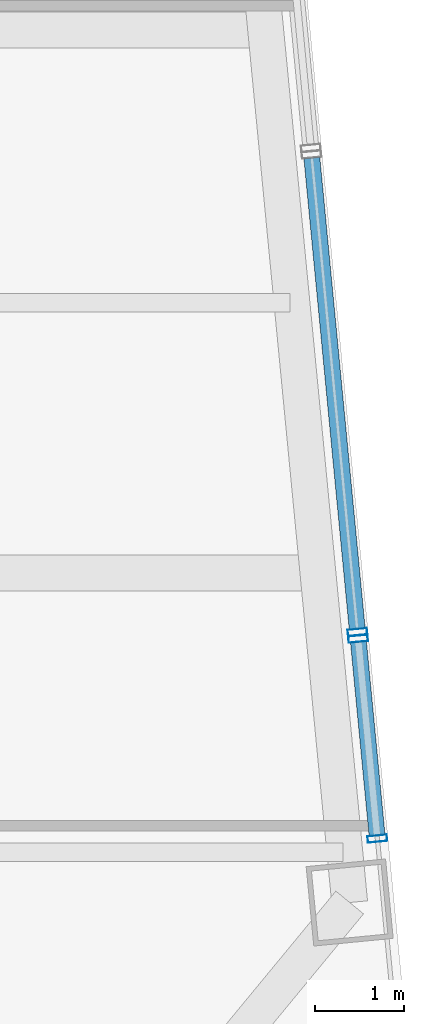
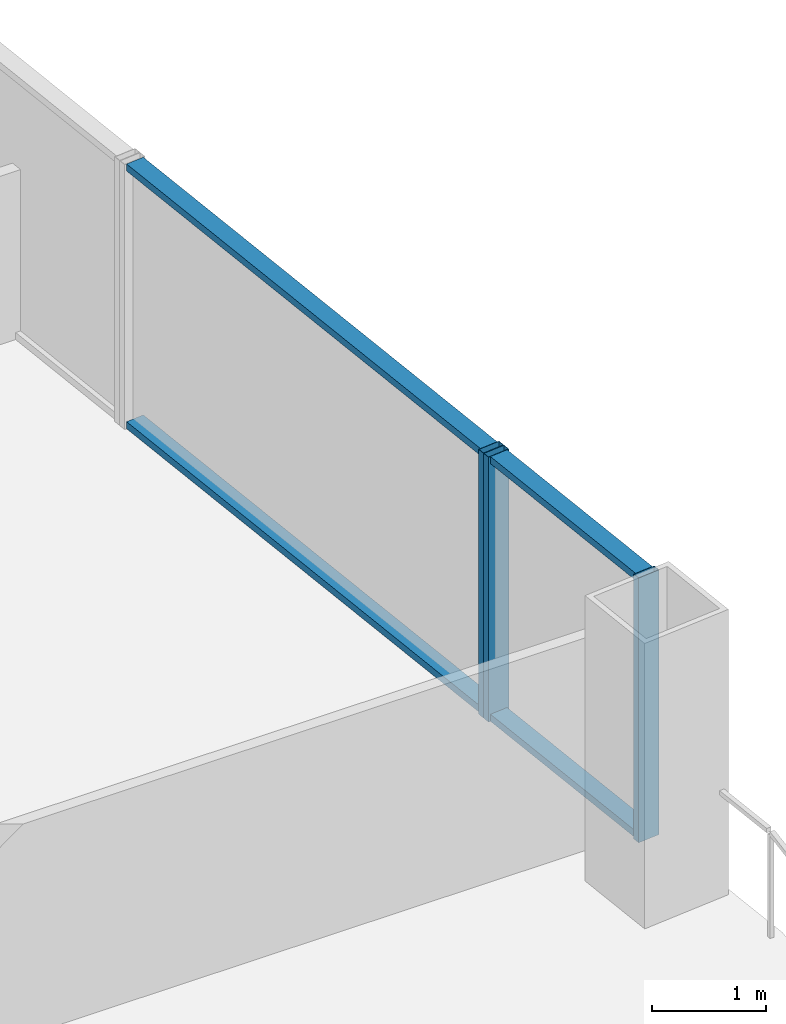
# One storey, part 11 of 26: 7 members, 2 elements without a shape of their own.
"""IFC4 building model written with IfcOpenShell, lengths in metres."""

from ifc_helpers import new_model, si_unit, direction, frame, origin, origin_2d, place, context, subcontext, project, spatial, hollow_rectangle, extrude, material, layer, layer_set, material_profile, profile_set, type_object, element, aggregate, save


model = new_model("IFC4")

# Units and contexts
model_context = context("Model", 3, precision=1e-05, world=origin(), true_north=direction((0.0, 1.0)))
body_context = subcontext(model_context, "Body", "Model", "MODEL_VIEW")
ifc_project = project(units=[si_unit("LENGTHUNIT", "METRE"), si_unit("AREAUNIT", "SQUARE_METRE"), si_unit("VOLUMEUNIT", "CUBIC_METRE"), si_unit("PLANEANGLEUNIT", "RADIAN"), si_unit("MASSUNIT", "GRAM", prefix="KILO")], contexts=[model_context])

# Site, building, storey
site_placement = place(None, origin())
site = spatial("IfcSite", under=ifc_project, at=site_placement, CompositionType="ELEMENT")
building_placement = place(site_placement, origin())
building = spatial("IfcBuilding", under=site, at=building_placement, Name="Qhalaya Broadcast Tower", CompositionType="ELEMENT")
storey_placement = place(building_placement, frame((0.0, 0.0, 72.5)))
storey = spatial("IfcBuildingStorey", under=building, at=storey_placement, Name="L20", CompositionType="ELEMENT", Elevation=72.5)

# Curtain wall, members
ifc_material_1 = material(Name="Fired Architectural Terracotta", Category="masonry")
ifc_layer_1 = layer(ifc_material_1, 0.219970703125, Name="Fired Architectural Terracotta")
ifc_layer_set_1 = layer_set([ifc_layer_1], Name="Fired Architectural Terracotta")
curtain_wall_type_1 = type_object("IfcCurtainWallType", Name="Block-Cap Unitised Terracotta Spandrel Wall CW-07", PredefinedType="NOTDEFINED", material=ifc_layer_set_1)
curtain_wall_1_placement = place(storey_placement, origin())
curtain_wall_1 = element("IfcCurtainWall", 1, at=curtain_wall_1_placement, inside=storey, type_object=curtain_wall_type_1, Name="L20 Unitised Curtain Wall L20-CW-E1", PredefinedType="NOTDEFINED")
ifc_material_2 = material(Name="Anodised Aluminium 6063-T6", Category="aluminium")
ifc_material_profile_1 = material_profile(ifc_material_2, hollow_rectangle(XDim=0.074951171875, YDim=0.219970703125, WallThickness=0.00390625, at=origin_2d()), Name="ALU-MUL 75x220x4")
ifc_profile_set_1 = profile_set([ifc_material_profile_1], Name="Anodised Aluminium 6063-T6")
member_type_1 = type_object("IfcMemberType", Name="Unitised Curtain-Wall Mullion M01", PredefinedType="MULLION", material=ifc_profile_set_1)
member_1_placement = place(storey_placement, frame((29.60498046875, -11.74462890625, 0.0), z_axis=(0.0, 0.0, 1.0), x_axis=(-0.095855723819, 0.99539523819, 0.0)))
member_1 = element("IfcMember", 2, at=member_1_placement, type_object=member_type_1, Name="CW-07 mullion 1", PredefinedType="MULLION", context=body_context, shape_type="SweptSolid", body=[
    extrude(hollow_rectangle(XDim=0.074951171875, YDim=0.219970703125, WallThickness=0.00390625, at=origin_2d()), origin(), (0.0, 0.0, 1.0), 2.830078125),
])
member_2_placement = place(storey_placement, frame((29.387939453125, -9.490234375, 0.0), z_axis=(0.0, 0.0, 1.0), x_axis=(-0.095855723819, 0.99539523819, 0.0)))
member_2 = element("IfcMember", 3, at=member_2_placement, type_object=member_type_1, Name="CW-07 mullion 2", PredefinedType="MULLION", context=body_context, shape_type="SweptSolid", body=[
    extrude(hollow_rectangle(XDim=0.074951171875, YDim=0.219970703125, WallThickness=0.00390625, at=origin_2d()), origin(), (0.0, 0.0, 1.0), 2.830078125),
])

# Curtain wall, member
ifc_material_3 = material(Name="Solar-Control Low-E Triple Glazing", Category="glass")
ifc_layer_2 = layer(ifc_material_3, 0.219970703125, Name="Solar-Control Low-E Triple Glazing")
ifc_layer_set_2 = layer_set([ifc_layer_2], Name="Solar-Control Low-E Triple Glazing")
curtain_wall_type_2 = type_object("IfcCurtainWallType", Name="Even-Block 4-Storey Double-Module Curtain Wall CW-03", PredefinedType="NOTDEFINED", material=ifc_layer_set_2)
curtain_wall_2_placement = place(storey_placement, origin())
curtain_wall_2 = element("IfcCurtainWall", 4, at=curtain_wall_2_placement, inside=storey, type_object=curtain_wall_type_2, Name="L20 Unitised Curtain Wall L20-CW-E2", PredefinedType="NOTDEFINED")
member_3_placement = place(storey_placement, frame((29.380615234375, -9.41552734375, 0.0), z_axis=(0.0, 0.0, 1.0), x_axis=(-0.095843001098, 0.995396463295, 0.0)))
member_3 = element("IfcMember", 5, at=member_3_placement, type_object=member_type_1, Name="CW-03 mullion 1", PredefinedType="MULLION", context=body_context, shape_type="SweptSolid", body=[
    extrude(hollow_rectangle(XDim=0.074951171875, YDim=0.219970703125, WallThickness=0.00390625, at=origin_2d()), origin(), (0.0, 0.0, 1.0), 2.830078125),
])

# Member
ifc_material_profile_2 = material_profile(ifc_material_2, hollow_rectangle(XDim=0.074951171875, YDim=0.179931640625, WallThickness=0.00390625, at=origin_2d()), Name="ALU-TRN 75x180x4")
ifc_profile_set_2 = profile_set([ifc_material_profile_2], Name="Anodised Aluminium 6063-T6")
member_type_2 = type_object("IfcMemberType", Name="Unitised Curtain-Wall Transom T01", PredefinedType="USERDEFINED", material=ifc_profile_set_2)
member_4_placement = place(storey_placement, frame((29.601318359375, -11.707275390625, 0.03759765625), z_axis=(-0.095761263253, 0.995404330139, 0.0), x_axis=(0.0, 0.0, 1.0)))
member_4 = element("IfcMember", 6, at=member_4_placement, type_object=member_type_2, Name="CW-07 transom 1.1", ObjectType="TRANSOM", PredefinedType="USERDEFINED", context=body_context, shape_type="SweptSolid", body=[
    extrude(hollow_rectangle(XDim=0.074951171875, YDim=0.179931640625, WallThickness=0.00390625, at=origin_2d()), origin(), (0.0, 0.0, 1.0), 2.18994140625),
])

member_5_placement = place(storey_placement, frame((29.601318359375, -11.707275390625, 2.79248046875), z_axis=(-0.095761263253, 0.995404330139, 0.0), x_axis=(0.0, 0.0, 1.0)))
member_5 = element("IfcMember", 7, at=member_5_placement, type_object=member_type_2, Name="CW-07 transom 1.2", ObjectType="TRANSOM", PredefinedType="USERDEFINED", context=body_context, shape_type="SweptSolid", body=[
    extrude(hollow_rectangle(XDim=0.074951171875, YDim=0.179931640625, WallThickness=0.00390625, at=origin_2d()), origin(), (0.0, 0.0, 1.0), 2.18994140625),
])

aggregate(curtain_wall_1, [member_1, member_2, member_4, member_5])

member_6_placement = place(storey_placement, frame((29.377197265625, -9.378173828125, 0.03759765625), z_axis=(-0.09585189358, 0.995395607031, 0.0), x_axis=(0.0, 0.0, 1.0)))
member_6 = element("IfcMember", 8, at=member_6_placement, type_object=member_type_2, Name="CW-03 transom 1.1", ObjectType="TRANSOM", PredefinedType="USERDEFINED", context=body_context, shape_type="SweptSolid", body=[
    extrude(hollow_rectangle(XDim=0.074951171875, YDim=0.179931640625, WallThickness=0.00390625, at=origin_2d()), origin(), (0.0, 0.0, 1.0), 5.336181640625),
])

member_7_placement = place(storey_placement, frame((29.377197265625, -9.378173828125, 2.79248046875), z_axis=(-0.09585189358, 0.995395607031, 0.0), x_axis=(0.0, 0.0, 1.0)))
member_7 = element("IfcMember", 9, at=member_7_placement, type_object=member_type_2, Name="CW-03 transom 1.2", ObjectType="TRANSOM", PredefinedType="USERDEFINED", context=body_context, shape_type="SweptSolid", body=[
    extrude(hollow_rectangle(XDim=0.074951171875, YDim=0.179931640625, WallThickness=0.00390625, at=origin_2d()), origin(), (0.0, 0.0, 1.0), 5.336181640625),
])

aggregate(curtain_wall_2, [member_3, member_6, member_7])

save(model, "model.ifc")
